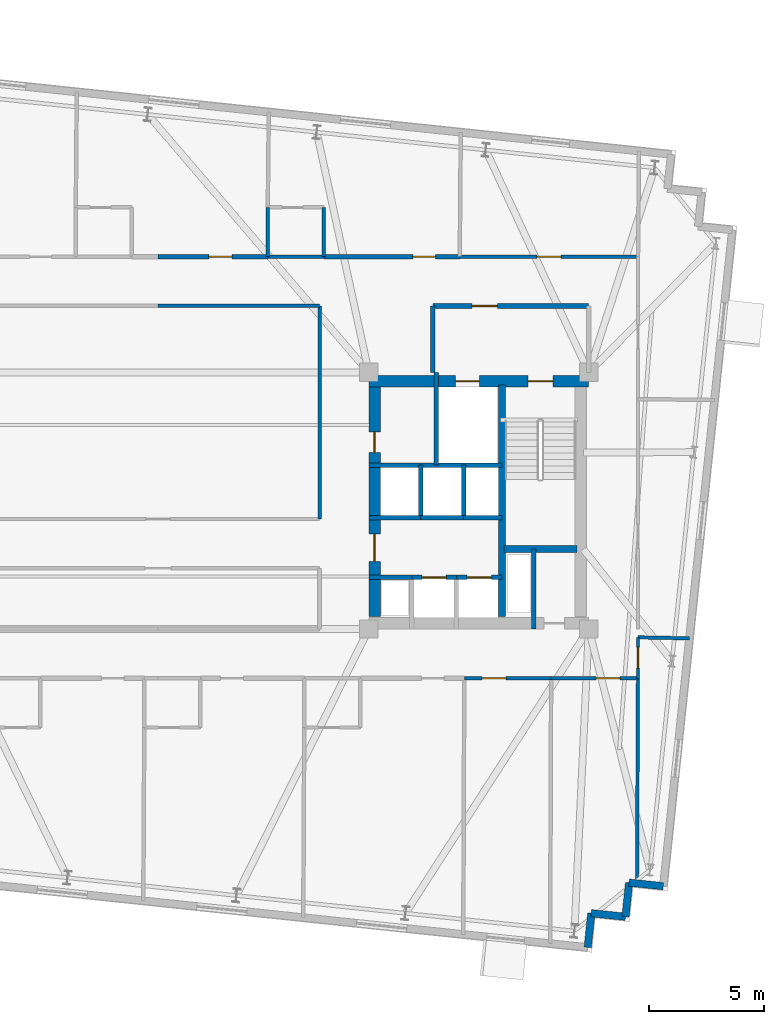
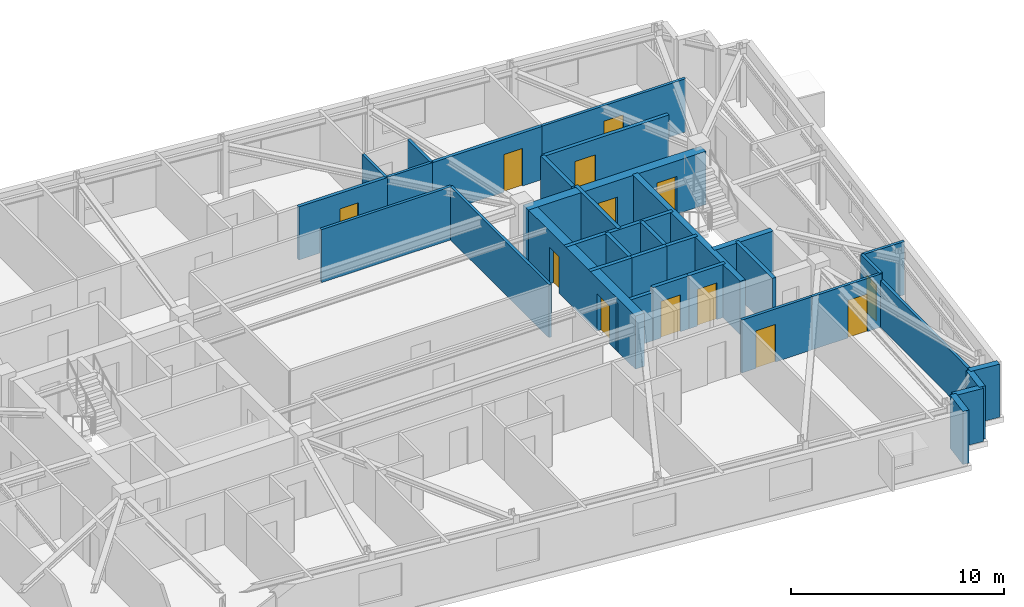
# One storey, part 8 of 11: 34 walls, 13 doors, 13 openings.
"""IFC4 building model written with IfcOpenShell, lengths in metres."""

from ifc_helpers import new_model, si_unit, direction, frame, frame_2d, origin, place, context, subcontext, project, spatial, rectangle, extrude, material, layer, layer_set, type_object, element, fill, save


model = new_model("IFC4")

# Units and contexts
model_context = context("Model", 3, precision=1e-05, world=origin(), true_north=direction((0.0, 1.0)))
body_context = subcontext(model_context, "Body", "Model", "MODEL_VIEW")
ifc_project = project(units=[si_unit("LENGTHUNIT", "METRE"), si_unit("AREAUNIT", "SQUARE_METRE"), si_unit("VOLUMEUNIT", "CUBIC_METRE"), si_unit("PLANEANGLEUNIT", "RADIAN"), si_unit("MASSUNIT", "GRAM", prefix="KILO")], contexts=[model_context])

# Site, building, storey
site_placement = place(None, origin())
site = spatial("IfcSite", under=ifc_project, at=site_placement, CompositionType="ELEMENT")
building_placement = place(site_placement, origin())
building = spatial("IfcBuilding", under=site, at=building_placement, Name="Qobustan Lattice House", CompositionType="ELEMENT")
storey_placement = place(building_placement, frame((0.0, 0.0, 206.449951171875)))
storey = spatial("IfcBuildingStorey", under=building, at=storey_placement, Name="L58", CompositionType="ELEMENT", Elevation=206.449951171875)

# Wall, openings, doors
ifc_material_1 = material(Name="Concrete C50/60", Category="concrete")
ifc_layer_1 = layer(ifc_material_1, 0.5)
ifc_layer_set_1 = layer_set([ifc_layer_1], Name="Concrete C50/60")
wall_type_1 = type_object("IfcWallType", Name="WAL-CORE-500", PredefinedType="SHEAR", material=ifc_layer_set_1)
wall_1_placement = place(storey_placement, frame((9.199951171875, 5.2099609375, 0.0), z_axis=(0.0, 0.0, 1.0), x_axis=(1.0, 0.0, 0.0)))
wall_1 = element("IfcWall", 1, at=wall_1_placement, inside=storey, type_object=wall_type_1, Name="L58 split-core shear wall CE-N", PredefinedType="SHEAR", context=body_context, shape_type="SweptSolid", body=[
    extrude(rectangle(XDim=9.60009765625, YDim=0.5, at=frame_2d((4.800048828125, 0.0))), origin(), (0.0, 0.0, 1.0), 3.0400390625),
])
opening_1_placement = place(wall_1_placement, frame((6.949951171875, 0.0, 0.0)))
opening_1 = element("IfcOpeningElement", 2, at=opening_1_placement, cuts=wall_1, Name="Opening SD-01", PredefinedType="OPENING", context=body_context, shape_type="SweptSolid", body=[
    extrude(rectangle(XDim=1.10009765625, YDim=2.14990234375, at=frame_2d((0.550048828125, 1.074951171875))), frame((0.0, 0.260009765625, 0.0), z_axis=(0.0, -1.0, 0.0), x_axis=(1.0, 0.0, 0.0)), (0.0, 0.0, 1.0), 0.52001953125),
])
opening_2_placement = place(wall_1_placement, frame((3.77490234375, 0.0, 0.0)))
opening_2 = element("IfcOpeningElement", 3, at=opening_2_placement, cuts=wall_1, Name="Opening LD-01", PredefinedType="OPENING", context=body_context, shape_type="SweptSolid", body=[
    extrude(rectangle(XDim=1.050048828125, YDim=2.10009765625, at=frame_2d((0.52490234375, 1.050048828125))), frame((0.0, 0.260009765625, 0.0), z_axis=(0.0, -1.0, 0.0), x_axis=(1.0, 0.0, 0.0)), (0.0, 0.0, 1.0), 0.52001953125),
])
ifc_material_2 = material(Name="Persian walnut timber and steel frame door", Category="steel")
door_type_1 = type_object("IfcDoorType", Name="DOR-LIFT-LD-1050x2100", OperationType="NOTDEFINED", PredefinedType="DOOR", material=ifc_material_2)
door_1_placement = place(opening_2_placement, origin())
door_1 = element("IfcDoor", 4, at=door_1_placement, inside=storey, type_object=door_type_1, Name="L58 firefighting lift FF-E landing door", OperationType="DOUBLE_DOOR_SLIDING", OverallHeight=2.10009765625, OverallWidth=1.050048828125, PredefinedType="DOOR", context=body_context, shape_type="SweptSolid", body=[
    extrude(rectangle(XDim=1.050048828125, YDim=2.10009765625, at=frame_2d((0.52490234375, 1.050048828125))), frame((0.0, 0.02490234375, 0.0), z_axis=(0.0, -1.0, 0.0), x_axis=(1.0, 0.0, 0.0)), (0.0, 0.0, 1.0), 0.050048828125),
])
fill(opening_2, door_1)
ifc_material_3 = material(Name="Persian walnut timber and steel frame door", Category="steel")
door_type_2 = type_object("IfcDoorType", Name="DOR-STAIR-FD-1100x2150", OperationType="NOTDEFINED", PredefinedType="DOOR", material=ifc_material_3)
door_2_placement = place(opening_1_placement, origin())
door_2 = element("IfcDoor", 5, at=door_2_placement, inside=storey, type_object=door_type_2, Name="L58 exit stair ST-E1 fire door", OperationType="SINGLE_SWING_LEFT", OverallHeight=2.14990234375, OverallWidth=1.10009765625, PredefinedType="DOOR", context=body_context, shape_type="SweptSolid", body=[
    extrude(rectangle(XDim=1.10009765625, YDim=2.14990234375, at=frame_2d((0.550048828125, 1.074951171875))), frame((0.0, 0.02490234375, 0.0), z_axis=(0.0, -1.0, 0.0), x_axis=(1.0, 0.0, 0.0)), (0.0, 0.0, 1.0), 0.050048828125),
])
fill(opening_1, door_2)

wall_2_placement = place(storey_placement, frame((9.449951171875, -5.050048828125, 0.0), z_axis=(0.0, 0.0, 1.0), x_axis=(0.0, 1.0, 0.0)))
wall_2 = element("IfcWall", 6, at=wall_2_placement, inside=storey, type_object=wall_type_1, Name="L58 split-core shear wall CE-W", PredefinedType="SHEAR", context=body_context, shape_type="SweptSolid", body=[
    extrude(rectangle(XDim=10.10009765625, YDim=0.5, at=frame_2d((5.050048828125, 0.0))), origin(), (0.0, 0.0, 1.0), 3.0400390625),
])
opening_3_placement = place(wall_2_placement, frame((7.14990234375, 0.0, 0.0)))
opening_3 = element("IfcOpeningElement", 7, at=opening_3_placement, cuts=wall_2, Name="Opening RD-01", PredefinedType="OPENING", context=body_context, shape_type="SweptSolid", body=[
    extrude(rectangle(XDim=0.89990234375, YDim=2.10009765625, at=frame_2d((0.449951171875, 1.050048828125))), frame((0.0, 0.260009765625, 0.0), z_axis=(0.0, -1.0, 0.0), x_axis=(1.0, 0.0, 0.0)), (0.0, 0.0, 1.0), 0.52001953125),
])
opening_4_placement = place(wall_2_placement, frame((2.39990234375, 0.0, 0.0)))
opening_4 = element("IfcOpeningElement", 8, at=opening_4_placement, cuts=wall_2, Name="Opening FD-01", PredefinedType="OPENING", context=body_context, shape_type="SweptSolid", body=[
    extrude(rectangle(XDim=1.199951171875, YDim=2.14990234375, at=frame_2d((0.60009765625, 1.074951171875))), frame((0.0, 0.260009765625, 0.0), z_axis=(0.0, -1.0, 0.0), x_axis=(1.0, 0.0, 0.0)), (0.0, 0.0, 1.0), 0.52001953125),
])
ifc_material_4 = material(Name="Persian walnut timber and steel frame door", Category="steel")
door_type_3 = type_object("IfcDoorType", Name="DOR-LOBBY-FD-1200x2150", OperationType="NOTDEFINED", PredefinedType="DOOR", material=ifc_material_4)
door_3_placement = place(opening_4_placement, origin())
door_3 = element("IfcDoor", 9, at=door_3_placement, inside=storey, type_object=door_type_3, Name="L58 East passenger lift lobby fire door", OperationType="SINGLE_SWING_RIGHT", OverallHeight=2.14990234375, OverallWidth=1.199951171875, PredefinedType="DOOR", context=body_context, shape_type="SweptSolid", body=[
    extrude(rectangle(XDim=1.199951171875, YDim=2.14990234375, at=frame_2d((0.60009765625, 1.074951171875))), frame((0.0, 0.02490234375, 0.0), z_axis=(0.0, -1.0, 0.0), x_axis=(1.0, 0.0, 0.0)), (0.0, 0.0, 1.0), 0.050048828125),
])
fill(opening_4, door_3)
ifc_material_5 = material(Name="Persian walnut timber and steel frame door", Category="steel")
door_type_4 = type_object("IfcDoorType", Name="DOR-RISER-FD-900x2100", OperationType="NOTDEFINED", PredefinedType="DOOR", material=ifc_material_5)
door_4_placement = place(opening_3_placement, origin())
door_4 = element("IfcDoor", 10, at=door_4_placement, inside=storey, type_object=door_type_4, Name="L58 Housekeeping linen store fire door", OperationType="SINGLE_SWING_LEFT", OverallHeight=2.10009765625, OverallWidth=0.89990234375, PredefinedType="DOOR", context=body_context, shape_type="SweptSolid", body=[
    extrude(rectangle(XDim=0.89990234375, YDim=2.10009765625, at=frame_2d((0.449951171875, 1.050048828125))), frame((0.0, 0.02490234375, 0.0), z_axis=(0.0, -1.0, 0.0), x_axis=(1.0, 0.0, 0.0)), (0.0, 0.0, 1.0), 0.050048828125),
])
fill(opening_3, door_4)

# Walls
ifc_material_6 = material(Name="Concrete C50/60", Category="concrete")
ifc_layer_2 = layer(ifc_material_6, 0.280029296875)
ifc_layer_set_2 = layer_set([ifc_layer_2], Name="Concrete C50/60")
wall_type_2 = type_object("IfcWallType", Name="WAL-CORE-SPINE-280", PredefinedType="SHEAR", material=ifc_layer_set_2)
wall_3_placement = place(storey_placement, frame((15.02001953125, -5.050048828125, 0.0), z_axis=(0.0, 0.0, 1.0), x_axis=(0.0, 1.0, 0.0)))
element("IfcWall", 11, at=wall_3_placement, inside=storey, type_object=wall_type_2, Name="L58 split-core shear wall CE-M", PredefinedType="SHEAR", context=body_context, shape_type="SweptSolid", body=[
    extrude(rectangle(XDim=10.10009765625, YDim=0.300048828125, at=frame_2d((5.050048828125, 0.0))), origin(), (0.0, 0.0, 1.0), 3.0400390625),
])
wall_4_placement = place(storey_placement, frame((15.10009765625, -2.110107421875, 0.0), z_axis=(0.0, 0.0, 1.0), x_axis=(1.0, 0.0, 0.0)))
element("IfcWall", 12, at=wall_4_placement, inside=storey, type_object=wall_type_2, Name="L58 split-core shear wall CE-ST", PredefinedType="SHEAR", context=body_context, shape_type="SweptSolid", body=[
    extrude(rectangle(XDim=3.179931640625, YDim=0.300048828125, at=frame_2d((1.58984375, 0.0))), origin(), (0.0, 0.0, 1.0), 3.0400390625),
])
ifc_material_7 = material(Name="Precast concrete C40/50", Category="concrete")
ifc_layer_3 = layer(ifc_material_7, 0.320068359375)
ifc_layer_set_3 = layer_set([ifc_layer_3], Name="Precast concrete C40/50")
wall_type_3 = type_object("IfcWallType", Name="WAL-EXT-STONE-320", PredefinedType="SOLIDWALL", material=ifc_layer_set_3)
wall_5_placement = place(storey_placement, frame((22.052978515625, -16.828369140625, 0.0), z_axis=(0.0, 0.0, 1.0), x_axis=(-0.994526834051, 0.104481464157, 0.0)))
element("IfcWall", 13, at=wall_5_placement, inside=storey, type_object=wall_type_3, Name="L58 exterior limestone-clad wall 16", PredefinedType="SOLIDWALL", context=body_context, shape_type="SweptSolid", body=[
    extrude(rectangle(XDim=1.500244140625, YDim=0.320068359375, at=frame_2d((0.75, 0.0))), origin(), (0.0, 0.0, 1.0), 3.0400390625),
])
for number, where, z_axis, x_axis, name in (
    (14, (20.56103515625, -16.671630859375, 0.0), (0.0, 0.0, 1.0), (-0.104498377516, -0.994525057048, 0.0), "L58 exterior limestone-clad wall 17"),
    (15, (20.404296875, -18.163330078125, 0.0), (0.0, 0.0, 1.0), (-0.994525057048, 0.104498377516, 0.0), "L58 exterior limestone-clad wall 18"),
    (16, (18.91259765625, -18.006591796875, 0.0), (0.0, 0.0, 1.0), (-0.104498377516, -0.994525057048, 0.0), "L58 exterior limestone-clad wall 19"),
):
    element("IfcWall", number, at=place(storey_placement, frame(where, z_axis=z_axis, x_axis=x_axis)), inside=storey, type_object=wall_type_3, Name=name, PredefinedType="SOLIDWALL", context=body_context, shape_type="SweptSolid", body=[
        extrude(rectangle(XDim=1.5, YDim=0.320068359375, at=frame_2d((0.75, 0.0))), origin(), (0.0, 0.0, 1.0), 3.0400390625),
    ])

# Wall, opening, door
ifc_material_8 = material(Name="Gypsum fireboard acoustic partition", Category="gypsum")
ifc_layer_4 = layer(ifc_material_8, 0.179931640625)
ifc_layer_set_4 = layer_set([ifc_layer_4], Name="Gypsum fireboard acoustic partition")
wall_type_4 = type_object("IfcWallType", Name="WAL-FIRE-180", PredefinedType="PARTITIONING", material=ifc_layer_set_4)
wall_6_placement = place(storey_placement, frame((0.0, 10.64990234375, 0.0), z_axis=(0.0, 0.0, 1.0), x_axis=(1.0, 0.0, 0.0)))
wall_6 = element("IfcWall", 17, at=wall_6_placement, inside=storey, type_object=wall_type_4, Name="L58 interior partition 40", PredefinedType="PARTITIONING", context=body_context, shape_type="SweptSolid", body=[
    extrude(rectangle(XDim=4.7900390625, YDim=0.179931640625, at=frame_2d((2.39501953125, 0.0))), origin(), (0.0, 0.0, 1.0), 3.0400390625),
])
opening_5_placement = place(wall_6_placement, frame((2.2236328125, 0.0, 0.0)))
opening_5 = element("IfcOpeningElement", 18, at=opening_5_placement, cuts=wall_6, Name="Opening FD-02", PredefinedType="OPENING", context=body_context, shape_type="SweptSolid", body=[
    extrude(rectangle(XDim=1.0, YDim=2.14990234375, at=frame_2d((0.5, 1.074951171875))), frame((0.0, 0.099853515625, 0.0), z_axis=(0.0, -1.0, 0.0), x_axis=(1.0, 0.0, 0.0)), (0.0, 0.0, 1.0), 0.199951171875),
])
ifc_material_9 = material(Name="Persian walnut timber and steel frame door", Category="steel")
door_type_5 = type_object("IfcDoorType", Name="DOR-UNIT-FD-1000x2150", OperationType="NOTDEFINED", PredefinedType="DOOR", material=ifc_material_9)
door_5_placement = place(opening_5_placement, origin())
door_5 = element("IfcDoor", 19, at=door_5_placement, inside=storey, type_object=door_type_5, Name="L58 North-east floor corridor to Kitchenette and studio apartment L58-N3 door", OperationType="SINGLE_SWING_LEFT", OverallHeight=2.14990234375, OverallWidth=1.0, PredefinedType="DOOR", context=body_context, shape_type="SweptSolid", body=[
    extrude(rectangle(XDim=1.0, YDim=2.14990234375, at=frame_2d((0.5, 1.074951171875))), frame((0.0, 0.02490234375, 0.0), z_axis=(0.0, -1.0, 0.0), x_axis=(1.0, 0.0, 0.0)), (0.0, 0.0, 1.0), 0.050048828125),
])
fill(opening_5, door_5)

wall_7_placement = place(storey_placement, frame((7.239990234375, 10.64990234375, 0.0), z_axis=(0.0, 0.0, 1.0), x_axis=(1.0, 0.0, 0.0)))
wall_7 = element("IfcWall", 20, at=wall_7_placement, inside=storey, type_object=wall_type_4, Name="L58 interior partition 41", PredefinedType="PARTITIONING", context=body_context, shape_type="SweptSolid", body=[
    extrude(rectangle(XDim=5.929931640625, YDim=0.179931640625, at=frame_2d((2.96484375, 0.0))), origin(), (0.0, 0.0, 1.0), 3.0400390625),
])
opening_6_placement = place(wall_7_placement, frame((3.87890625, 0.0, 0.0)))
opening_6 = element("IfcOpeningElement", 21, at=opening_6_placement, cuts=wall_7, Name="Opening FD-02", PredefinedType="OPENING", context=body_context, shape_type="SweptSolid", body=[
    extrude(rectangle(XDim=1.0, YDim=2.14990234375, at=frame_2d((0.5, 1.074951171875))), frame((0.0, 0.099853515625, 0.0), z_axis=(0.0, -1.0, 0.0), x_axis=(1.0, 0.0, 0.0)), (0.0, 0.0, 1.0), 0.199951171875),
])
door_6_placement = place(opening_6_placement, origin())
door_6 = element("IfcDoor", 22, at=door_6_placement, inside=storey, type_object=door_type_5, Name="L58 North-east floor corridor to Kitchenette and studio apartment L58-N4 door", OperationType="SINGLE_SWING_RIGHT", OverallHeight=2.14990234375, OverallWidth=1.0, PredefinedType="DOOR", context=body_context, shape_type="SweptSolid", body=[
    extrude(rectangle(XDim=1.0, YDim=2.14990234375, at=frame_2d((0.5, 1.074951171875))), frame((0.0, 0.02490234375, 0.0), z_axis=(0.0, -1.0, 0.0), x_axis=(1.0, 0.0, 0.0)), (0.0, 0.0, 1.0), 0.050048828125),
])
fill(opening_6, door_6)

ifc_material_10 = material(Name="Acoustic twin-stud gypsum partition", Category="gypsum")
ifc_layer_5 = layer(ifc_material_10, 0.14990234375)
ifc_layer_set_5 = layer_set([ifc_layer_5], Name="Acoustic twin-stud gypsum partition")
wall_type_5 = type_object("IfcWallType", Name="WAL-PART-150", PredefinedType="PARTITIONING", material=ifc_layer_set_5)
wall_8_placement = place(storey_placement, frame((13.169921875, 10.64990234375, 0.0), z_axis=(0.0, 0.0, 1.0), x_axis=(1.0, 0.0, 0.0)))
wall_8 = element("IfcWall", 23, at=wall_8_placement, inside=storey, type_object=wall_type_5, Name="L58 interior partition 43", PredefinedType="PARTITIONING", context=body_context, shape_type="SweptSolid", body=[
    extrude(rectangle(XDim=7.780029296875, YDim=0.14990234375, at=frame_2d((3.89013671875, 0.0))), origin(), (0.0, 0.0, 1.0), 3.0400390625),
])
opening_7_placement = place(wall_8_placement, frame((3.364990234375, 0.0, 0.0)))
opening_7 = element("IfcOpeningElement", 24, at=opening_7_placement, cuts=wall_8, Name="Opening ID-02", PredefinedType="OPENING", context=body_context, shape_type="SweptSolid", body=[
    extrude(rectangle(XDim=1.050048828125, YDim=2.14990234375, at=frame_2d((0.52490234375, 1.074951171875))), frame((0.0, 0.0849609375, 0.0), z_axis=(0.0, -1.0, 0.0), x_axis=(1.0, 0.0, 0.0)), (0.0, 0.0, 1.0), 0.169921875),
])
ifc_material_11 = material(Name="Persian walnut timber and steel frame door", Category="steel")
door_type_6 = type_object("IfcDoorType", Name="DOR-STUDY-1050x2150", OperationType="NOTDEFINED", PredefinedType="DOOR", material=ifc_material_11)
door_7_placement = place(opening_7_placement, origin())
door_7 = element("IfcDoor", 25, at=door_7_placement, inside=storey, type_object=door_type_6, Name="L58 North-east floor corridor to Focus study room N5 door", OperationType="SINGLE_SWING_LEFT", OverallHeight=2.14990234375, OverallWidth=1.050048828125, PredefinedType="DOOR", context=body_context, shape_type="SweptSolid", body=[
    extrude(rectangle(XDim=1.050048828125, YDim=2.14990234375, at=frame_2d((0.52490234375, 1.074951171875))), frame((0.0, 0.02490234375, 0.0), z_axis=(0.0, -1.0, 0.0), x_axis=(1.0, 0.0, 0.0)), (0.0, 0.0, 1.0), 0.050048828125),
])
fill(opening_7, door_7)

# Wall
wall_9_placement = place(storey_placement, frame((7.050048828125, 8.5, 0.0), z_axis=(0.0, 0.0, 1.0), x_axis=(-1.0, 0.0, 0.0)))
element("IfcWall", 26, at=wall_9_placement, inside=storey, type_object=wall_type_5, Name="L58 interior partition 44", PredefinedType="PARTITIONING", context=body_context, shape_type="SweptSolid", body=[
    extrude(rectangle(XDim=7.050048828125, YDim=0.14990234375, at=frame_2d((3.52490234375, 0.0))), origin(), (0.0, 0.0, 1.0), 3.0400390625),
])

# Wall, opening, door
wall_10_placement = place(storey_placement, frame((20.949951171875, -5.964111328125, 0.0), z_axis=(0.0, 0.0, 1.0), x_axis=(0.0, -1.0, 0.0)))
wall_10 = element("IfcWall", 27, at=wall_10_placement, inside=storey, type_object=wall_type_5, Name="L58 interior partition 53", PredefinedType="PARTITIONING", context=body_context, shape_type="SweptSolid", body=[
    extrude(rectangle(XDim=1.785888671875, YDim=0.14990234375, at=frame_2d((0.89306640625, 0.0))), origin(), (0.0, 0.0, 1.0), 3.0400390625),
])
opening_8_placement = place(wall_10_placement, frame((0.443115234375, 0.0, 0.0)))
opening_8 = element("IfcOpeningElement", 28, at=opening_8_placement, cuts=wall_10, Name="Opening WD-01", PredefinedType="OPENING", context=body_context, shape_type="SweptSolid", body=[
    extrude(rectangle(XDim=0.89990234375, YDim=2.10009765625, at=frame_2d((0.449951171875, 1.050048828125))), frame((0.0, 0.0849609375, 0.0), z_axis=(0.0, -1.0, 0.0), x_axis=(1.0, 0.0, 0.0)), (0.0, 0.0, 1.0), 0.169921875),
])
ifc_material_12 = material(Name="Persian walnut timber and steel frame door", Category="steel")
door_type_7 = type_object("IfcDoorType", Name="DOR-WET-900x2100", OperationType="NOTDEFINED", PredefinedType="DOOR", material=ifc_material_12)
door_8_placement = place(opening_8_placement, origin())
door_8 = element("IfcDoor", 29, at=door_8_placement, inside=storey, type_object=door_type_7, Name="L58 South-east floor corridor to Focus study room E1 door", OperationType="SINGLE_SWING_RIGHT", OverallHeight=2.10009765625, OverallWidth=0.89990234375, PredefinedType="DOOR", context=body_context, shape_type="SweptSolid", body=[
    extrude(rectangle(XDim=0.89990234375, YDim=2.10009765625, at=frame_2d((0.449951171875, 1.050048828125))), frame((0.0, 0.02490234375, 0.0), z_axis=(0.0, -1.0, 0.0), x_axis=(1.0, 0.0, 0.0)), (0.0, 0.0, 1.0), 0.050048828125),
])
fill(opening_8, door_8)

wall_11_placement = place(storey_placement, frame((17.158447265625, -7.75, 0.0), z_axis=(0.0, 0.0, 1.0), x_axis=(-1.0, 0.0, 0.0)))
wall_11 = element("IfcWall", 30, at=wall_11_placement, inside=storey, type_object=wall_type_5, Name="L58 interior partition 58", PredefinedType="PARTITIONING", context=body_context, shape_type="SweptSolid", body=[
    extrude(rectangle(XDim=3.79150390625, YDim=0.14990234375, at=frame_2d((1.895751953125, 0.0))), origin(), (0.0, 0.0, 1.0), 3.0400390625),
])
opening_9_placement = place(wall_11_placement, frame((1.9638671875, 0.0, 0.0)))
opening_9 = element("IfcOpeningElement", 31, at=opening_9_placement, cuts=wall_11, Name="Opening ID-02", PredefinedType="OPENING", context=body_context, shape_type="SweptSolid", body=[
    extrude(rectangle(XDim=1.050048828125, YDim=2.14990234375, at=frame_2d((0.52490234375, 1.074951171875))), frame((0.0, 0.0849609375, 0.0), z_axis=(0.0, -1.0, 0.0), x_axis=(1.0, 0.0, 0.0)), (0.0, 0.0, 1.0), 0.169921875),
])
door_9_placement = place(opening_9_placement, origin())
door_9 = element("IfcDoor", 32, at=door_9_placement, inside=storey, type_object=door_type_6, Name="L58 South-east floor corridor to Group study room door", OperationType="SINGLE_SWING_LEFT", OverallHeight=2.14990234375, OverallWidth=1.050048828125, PredefinedType="DOOR", context=body_context, shape_type="SweptSolid", body=[
    extrude(rectangle(XDim=1.050048828125, YDim=2.14990234375, at=frame_2d((0.52490234375, 1.074951171875))), frame((0.0, 0.02490234375, 0.0), z_axis=(0.0, -1.0, 0.0), x_axis=(1.0, 0.0, 0.0)), (0.0, 0.0, 1.0), 0.050048828125),
])
fill(opening_9, door_9)

wall_12_placement = place(storey_placement, frame((20.949951171875, -7.75, 0.0), z_axis=(0.0, 0.0, 1.0), x_axis=(-1.0, 0.0, 0.0)))
wall_12 = element("IfcWall", 33, at=wall_12_placement, inside=storey, type_object=wall_type_5, Name="L58 interior partition 59", PredefinedType="PARTITIONING", context=body_context, shape_type="SweptSolid", body=[
    extrude(rectangle(XDim=3.79150390625, YDim=0.14990234375, at=frame_2d((1.895751953125, 0.0))), origin(), (0.0, 0.0, 1.0), 3.0400390625),
])
opening_10_placement = place(wall_12_placement, frame((0.777587890625, 0.0, 0.0)))
opening_10 = element("IfcOpeningElement", 34, at=opening_10_placement, cuts=wall_12, Name="Opening ID-02", PredefinedType="OPENING", context=body_context, shape_type="SweptSolid", body=[
    extrude(rectangle(XDim=1.050048828125, YDim=2.14990234375, at=frame_2d((0.52490234375, 1.074951171875))), frame((0.0, 0.0849609375, 0.0), z_axis=(0.0, -1.0, 0.0), x_axis=(1.0, 0.0, 0.0)), (0.0, 0.0, 1.0), 0.169921875),
])
door_10_placement = place(opening_10_placement, origin())
door_10 = element("IfcDoor", 35, at=door_10_placement, inside=storey, type_object=door_type_6, Name="L58 South-east floor corridor to Academic seminar room door", OperationType="SINGLE_SWING_RIGHT", OverallHeight=2.14990234375, OverallWidth=1.050048828125, PredefinedType="DOOR", context=body_context, shape_type="SweptSolid", body=[
    extrude(rectangle(XDim=1.050048828125, YDim=2.14990234375, at=frame_2d((0.52490234375, 1.074951171875))), frame((0.0, 0.02490234375, 0.0), z_axis=(0.0, -1.0, 0.0), x_axis=(1.0, 0.0, 0.0)), (0.0, 0.0, 1.0), 0.050048828125),
])
fill(opening_10, door_10)

# Walls
wall_13_placement = place(storey_placement, frame((7.050048828125, -0.800048828125, 0.0), z_axis=(0.0, 0.0, 1.0), x_axis=(0.0, 1.0, 0.0)))
element("IfcWall", 36, at=wall_13_placement, inside=storey, type_object=wall_type_5, Name="L58 interior partition 71", PredefinedType="PARTITIONING", context=body_context, shape_type="SweptSolid", body=[
    extrude(rectangle(XDim=9.300048828125, YDim=0.14990234375, at=frame_2d((4.64990234375, 0.0))), origin(), (0.0, 0.0, 1.0), 3.0400390625),
])
wall_14_placement = place(storey_placement, frame((20.949951171875, -5.964111328125, 0.0), z_axis=(0.0, 0.0, 1.0), x_axis=(0.999809784752, -0.019503700029, 0.0)))
element("IfcWall", 37, at=wall_14_placement, inside=storey, type_object=wall_type_5, Name="L58 interior partition 82", PredefinedType="PARTITIONING", context=body_context, shape_type="SweptSolid", body=[
    extrude(rectangle(XDim=2.24072265625, YDim=0.14990234375, at=frame_2d((1.120361328125, 0.0))), origin(), (0.0, 0.0, 1.0), 3.0400390625),
])
wall_15_placement = place(storey_placement, frame((20.906005859375, -16.7080078125, 0.0), z_axis=(0.0, 0.0, 1.0), x_axis=(0.004905642486, 0.999987967264, 0.0)))
element("IfcWall", 38, at=wall_15_placement, inside=storey, type_object=wall_type_5, Name="L58 interior partition 83", PredefinedType="PARTITIONING", context=body_context, shape_type="SweptSolid", body=[
    extrude(rectangle(XDim=8.9580078125, YDim=0.14990234375, at=frame_2d((4.47900390625, 0.0))), origin(), (0.0, 0.0, 1.0), 2.6650390625),
])

# Wall, opening, door
ifc_material_13 = material(Name="Two-hour gypsum fireboard acoustic partition", Category="gypsum")
ifc_layer_6 = layer(ifc_material_13, 0.199951171875)
ifc_layer_set_6 = layer_set([ifc_layer_6], Name="Two-hour gypsum fireboard acoustic partition")
wall_type_6 = type_object("IfcWallType", Name="WAL-PROT-200", PredefinedType="PARTITIONING", material=ifc_layer_set_6)
wall_16_placement = place(storey_placement, frame((18.800048828125, 8.5, 0.0), z_axis=(0.0, 0.0, 1.0), x_axis=(-1.0, 0.0, 0.0)))
wall_16 = element("IfcWall", 39, at=wall_16_placement, inside=storey, type_object=wall_type_6, Name="L58 interior partition 17", PredefinedType="PARTITIONING", context=body_context, shape_type="SweptSolid", body=[
    extrude(rectangle(XDim=6.800048828125, YDim=0.199951171875, at=frame_2d((3.39990234375, 0.0))), origin(), (0.0, 0.0, 1.0), 3.0400390625),
])
opening_11_placement = place(wall_16_placement, frame((3.985107421875, 0.0, 0.0)))
opening_11 = element("IfcOpeningElement", 40, at=opening_11_placement, cuts=wall_16, Name="Opening SD-01", PredefinedType="OPENING", context=body_context, shape_type="SweptSolid", body=[
    extrude(rectangle(XDim=1.10009765625, YDim=2.14990234375, at=frame_2d((0.550048828125, 1.074951171875))), frame((0.0, 0.10986328125, 0.0), z_axis=(0.0, -1.0, 0.0), x_axis=(1.0, 0.0, 0.0)), (0.0, 0.0, 1.0), 0.219970703125),
])
door_11_placement = place(opening_11_placement, origin())
door_11 = element("IfcDoor", 41, at=door_11_placement, inside=storey, type_object=door_type_2, Name="L58 East firefighting lift lobby to North-east floor corridor door", OperationType="SINGLE_SWING_RIGHT", OverallHeight=2.14990234375, OverallWidth=1.10009765625, PredefinedType="DOOR", context=body_context, shape_type="SweptSolid", body=[
    extrude(rectangle(XDim=1.10009765625, YDim=2.14990234375, at=frame_2d((0.550048828125, 1.074951171875))), frame((0.0, 0.02490234375, 0.0), z_axis=(0.0, -1.0, 0.0), x_axis=(1.0, 0.0, 0.0)), (0.0, 0.0, 1.0), 0.050048828125),
])
fill(opening_11, door_11)

# Walls
wall_17_placement = place(storey_placement, frame((12.0, 8.5, 0.0), z_axis=(0.0, 0.0, 1.0), x_axis=(0.0, -1.0, 0.0)))
element("IfcWall", 42, at=wall_17_placement, inside=storey, type_object=wall_type_6, Name="L58 interior partition 19", PredefinedType="PARTITIONING", context=body_context, shape_type="SweptSolid", body=[
    extrude(rectangle(XDim=2.89990234375, YDim=0.199951171875, at=frame_2d((1.449951171875, 0.0))), origin(), (0.0, 0.0, 1.0), 3.0400390625),
])
ifc_material_14 = material(Name="Concrete C40/50", Category="concrete")
ifc_layer_7 = layer(ifc_material_14, 0.199951171875)
ifc_layer_set_7 = layer_set([ifc_layer_7], Name="Concrete C40/50")
wall_type_7 = type_object("IfcWallType", Name="WAL-SHAFT-200", PredefinedType="PARTITIONING", material=ifc_layer_set_7)
wall_18_placement = place(storey_placement, frame((16.39990234375, -2.110107421875, 0.0), z_axis=(0.0, 0.0, 1.0), x_axis=(0.0, -1.0, 0.0)))
element("IfcWall", 43, at=wall_18_placement, inside=storey, type_object=wall_type_7, Name="L58 interior partition 15", PredefinedType="PARTITIONING", context=body_context, shape_type="SweptSolid", body=[
    extrude(rectangle(XDim=3.489990234375, YDim=0.199951171875, at=frame_2d((1.7451171875, 0.0))), origin(), (0.0, 0.0, 1.0), 3.0400390625),
])
wall_19_placement = place(storey_placement, frame((12.14990234375, 5.60009765625, 0.0), z_axis=(0.0, 0.0, 1.0), x_axis=(0.0, -1.0, 0.0)))
element("IfcWall", 44, at=wall_19_placement, inside=storey, type_object=wall_type_7, Name="L58 interior partition 16", PredefinedType="PARTITIONING", context=body_context, shape_type="SweptSolid", body=[
    extrude(rectangle(XDim=4.050048828125, YDim=0.199951171875, at=frame_2d((2.02490234375, 0.0))), origin(), (0.0, 0.0, 1.0), 3.0400390625),
])
wall_20_placement = place(storey_placement, frame((9.199951171875, -3.35009765625, 0.0), z_axis=(0.0, 0.0, 1.0), x_axis=(1.0, 0.0, 0.0)))
element("IfcWall", 45, at=wall_20_placement, inside=storey, type_object=wall_type_7, Name="L58 interior partition 21", PredefinedType="PARTITIONING", context=body_context, shape_type="SweptSolid", body=[
    extrude(rectangle(XDim=1.880126953125, YDim=0.199951171875, at=frame_2d((0.93994140625, 0.0))), origin(), (0.0, 0.0, 1.0), 2.755126953125),
])

# Wall, opening, door
wall_21_placement = place(storey_placement, frame((11.080078125, -3.35009765625, 0.0), z_axis=(0.0, 0.0, 1.0), x_axis=(1.0, 0.0, 0.0)))
wall_21 = element("IfcWall", 46, at=wall_21_placement, inside=storey, type_object=wall_type_7, Name="L58 interior partition 22", PredefinedType="PARTITIONING", context=body_context, shape_type="SweptSolid", body=[
    extrude(rectangle(XDim=1.93994140625, YDim=0.199951171875, at=frame_2d((0.969970703125, 0.0))), origin(), (0.0, 0.0, 1.0), 3.0400390625),
])
opening_12_placement = place(wall_21_placement, frame((0.445068359375, 0.0, 0.0)))
opening_12 = element("IfcOpeningElement", 47, at=opening_12_placement, cuts=wall_21, Name="Opening LD-01", PredefinedType="OPENING", context=body_context, shape_type="SweptSolid", body=[
    extrude(rectangle(XDim=1.050048828125, YDim=2.10009765625, at=frame_2d((0.52490234375, 1.050048828125))), frame((0.0, 0.10986328125, 0.0), z_axis=(0.0, -1.0, 0.0), x_axis=(1.0, 0.0, 0.0)), (0.0, 0.0, 1.0), 0.219970703125),
])
door_12_placement = place(opening_12_placement, origin())
door_12 = element("IfcDoor", 48, at=door_12_placement, inside=storey, type_object=door_type_1, Name="L58 lift landing door", OperationType="DOUBLE_DOOR_SLIDING", OverallHeight=2.10009765625, OverallWidth=1.050048828125, PredefinedType="DOOR", context=body_context, shape_type="SweptSolid", body=[
    extrude(rectangle(XDim=1.050048828125, YDim=2.10009765625, at=frame_2d((0.52490234375, 1.050048828125))), frame((0.0, 0.02490234375, 0.0), z_axis=(0.0, -1.0, 0.0), x_axis=(1.0, 0.0, 0.0)), (0.0, 0.0, 1.0), 0.050048828125),
])
fill(opening_12, door_12)

wall_22_placement = place(storey_placement, frame((13.02001953125, -3.35009765625, 0.0), z_axis=(0.0, 0.0, 1.0), x_axis=(1.0, 0.0, 0.0)))
wall_22 = element("IfcWall", 49, at=wall_22_placement, inside=storey, type_object=wall_type_7, Name="L58 interior partition 23", PredefinedType="PARTITIONING", context=body_context, shape_type="SweptSolid", body=[
    extrude(rectangle(XDim=2.0, YDim=0.199951171875, at=frame_2d((1.0, 0.0))), origin(), (0.0, 0.0, 1.0), 3.0400390625),
])
opening_13_placement = place(wall_22_placement, frame((0.47509765625, 0.0, 0.0)))
opening_13 = element("IfcOpeningElement", 50, at=opening_13_placement, cuts=wall_22, Name="Opening LD-01", PredefinedType="OPENING", context=body_context, shape_type="SweptSolid", body=[
    extrude(rectangle(XDim=1.050048828125, YDim=2.10009765625, at=frame_2d((0.52490234375, 1.050048828125))), frame((0.0, 0.10986328125, 0.0), z_axis=(0.0, -1.0, 0.0), x_axis=(1.0, 0.0, 0.0)), (0.0, 0.0, 1.0), 0.219970703125),
])
door_13_placement = place(opening_13_placement, origin())
door_13 = element("IfcDoor", 51, at=door_13_placement, inside=storey, type_object=door_type_1, Name="L58 lift landing door", OperationType="DOUBLE_DOOR_SLIDING", OverallHeight=2.10009765625, OverallWidth=1.050048828125, PredefinedType="DOOR", context=body_context, shape_type="SweptSolid", body=[
    extrude(rectangle(XDim=1.050048828125, YDim=2.10009765625, at=frame_2d((0.52490234375, 1.050048828125))), frame((0.0, 0.02490234375, 0.0), z_axis=(0.0, -1.0, 0.0), x_axis=(1.0, 0.0, 0.0)), (0.0, 0.0, 1.0), 0.050048828125),
])
fill(opening_13, door_13)

# Walls
wall_23_placement = place(storey_placement, frame((11.4599609375, -0.75, 0.0), z_axis=(0.0, 0.0, 1.0), x_axis=(-1.0, 0.0, 0.0)))
element("IfcWall", 52, at=wall_23_placement, inside=storey, type_object=wall_type_7, Name="L58 interior partition 24", PredefinedType="PARTITIONING", context=body_context, shape_type="SweptSolid", body=[
    extrude(rectangle(XDim=2.260009765625, YDim=0.199951171875, at=frame_2d((1.1298828125, 0.0))), origin(), (0.0, 0.0, 1.0), 3.0400390625),
])
wall_24_placement = place(storey_placement, frame((13.340087890625, -0.75, 0.0), z_axis=(0.0, 0.0, 1.0), x_axis=(-1.0, 0.0, 0.0)))
element("IfcWall", 53, at=wall_24_placement, inside=storey, type_object=wall_type_7, Name="L58 interior partition 25", PredefinedType="PARTITIONING", context=body_context, shape_type="SweptSolid", body=[
    extrude(rectangle(XDim=1.880126953125, YDim=0.199951171875, at=frame_2d((0.93994140625, 0.0))), origin(), (0.0, 0.0, 1.0), 3.0400390625),
])
wall_25_placement = place(storey_placement, frame((15.02001953125, -0.75, 0.0), z_axis=(0.0, 0.0, 1.0), x_axis=(-1.0, 0.0, 0.0)))
element("IfcWall", 54, at=wall_25_placement, inside=storey, type_object=wall_type_7, Name="L58 interior partition 26", PredefinedType="PARTITIONING", context=body_context, shape_type="SweptSolid", body=[
    extrude(rectangle(XDim=1.679931640625, YDim=0.199951171875, at=frame_2d((0.83984375, 0.0))), origin(), (0.0, 0.0, 1.0), 3.0400390625),
])
for number, where, z_axis, x_axis, name in (
    (55, (11.4599609375, -0.75, 0.0), (0.0, 0.0, 1.0), (0.0, 1.0, 0.0), "L58 interior partition 30"),
    (56, (13.340087890625, -0.75, 0.0), (0.0, 0.0, 1.0), (0.0, 1.0, 0.0), "L58 interior partition 31"),
):
    element("IfcWall", number, at=place(storey_placement, frame(where, z_axis=z_axis, x_axis=x_axis)), inside=storey, type_object=wall_type_7, Name=name, PredefinedType="PARTITIONING", context=body_context, shape_type="SweptSolid", body=[
        extrude(rectangle(XDim=2.300048828125, YDim=0.199951171875, at=frame_2d((1.14990234375, 0.0))), origin(), (0.0, 0.0, 1.0), 3.0400390625),
    ])
wall_26_placement = place(storey_placement, frame((9.199951171875, 1.550048828125, 0.0), z_axis=(0.0, 0.0, 1.0), x_axis=(1.0, 0.0, 0.0)))
element("IfcWall", 57, at=wall_26_placement, inside=storey, type_object=wall_type_7, Name="L58 interior partition 116", PredefinedType="PARTITIONING", context=body_context, shape_type="SweptSolid", body=[
    extrude(rectangle(XDim=5.820068359375, YDim=0.199951171875, at=frame_2d((2.91015625, 0.0))), origin(), (0.0, 0.0, 1.0), 3.0400390625),
])
ifc_material_15 = material(Name="Moisture-resistant acoustic plumbing wall", Category="gypsum")
ifc_layer_8 = layer(ifc_material_15, 0.14990234375)
ifc_layer_set_8 = layer_set([ifc_layer_8], Name="Moisture-resistant acoustic plumbing wall")
wall_type_8 = type_object("IfcWallType", Name="WAL-WET-150", PredefinedType="PLUMBINGWALL", material=ifc_layer_set_8)
wall_27_placement = place(storey_placement, frame((4.7900390625, 10.64990234375, 0.0), z_axis=(0.0, 0.0, 1.0), x_axis=(1.0, 0.0, 0.0)))
element("IfcWall", 58, at=wall_27_placement, inside=storey, type_object=wall_type_8, Name="L58 interior partition 42", PredefinedType="PLUMBINGWALL", context=body_context, shape_type="SweptSolid", body=[
    extrude(rectangle(XDim=2.449951171875, YDim=0.14990234375, at=frame_2d((1.22509765625, 0.0))), origin(), (0.0, 0.0, 1.0), 3.0400390625),
])
for number, where, z_axis, x_axis, name in (
    (59, (4.7900390625, 12.800048828125, 0.0), (0.0, 0.0, 1.0), (0.0, -1.0, 0.0), "L58 interior partition 93"),
    (60, (7.239990234375, 10.64990234375, 0.0), (0.0, 0.0, 1.0), (0.0, 1.0, 0.0), "L58 interior partition 95"),
):
    element("IfcWall", number, at=place(storey_placement, frame(where, z_axis=z_axis, x_axis=x_axis)), inside=storey, type_object=wall_type_8, Name=name, PredefinedType="PLUMBINGWALL", context=body_context, shape_type="SweptSolid", body=[
        extrude(rectangle(XDim=2.150146484375, YDim=0.14990234375, at=frame_2d((1.0751953125, 0.0))), origin(), (0.0, 0.0, 1.0), 3.0400390625),
    ])

save(model, "model.ifc")
